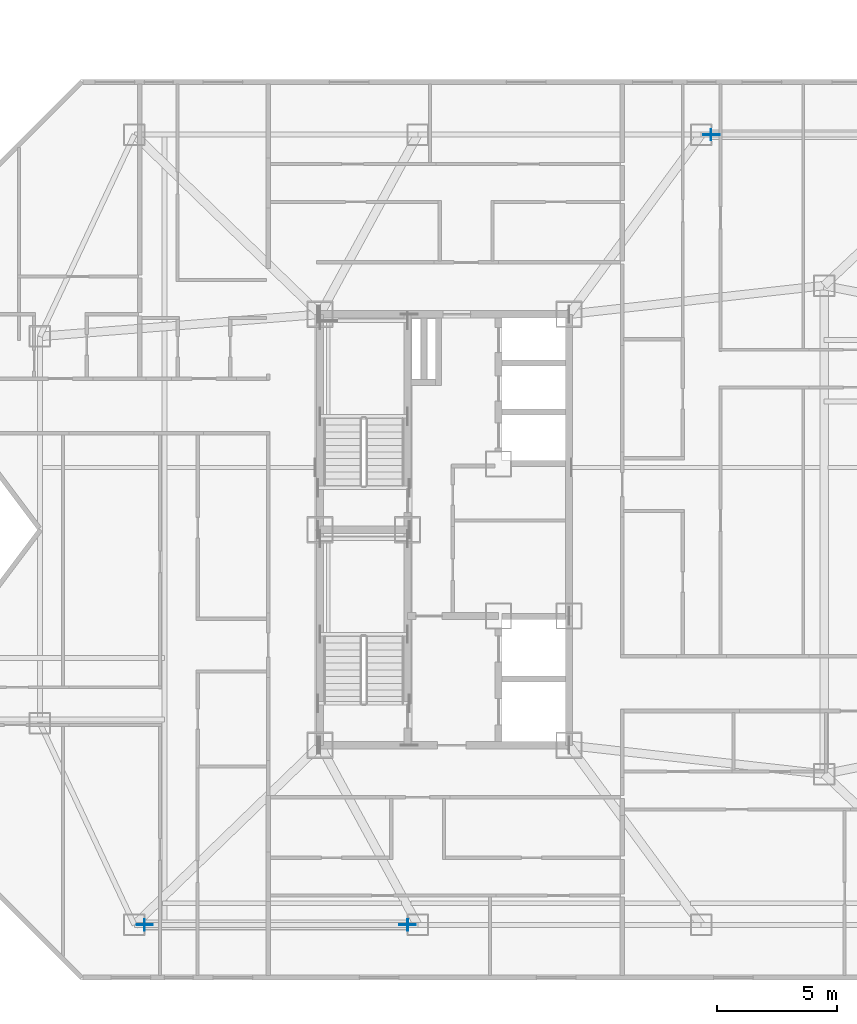
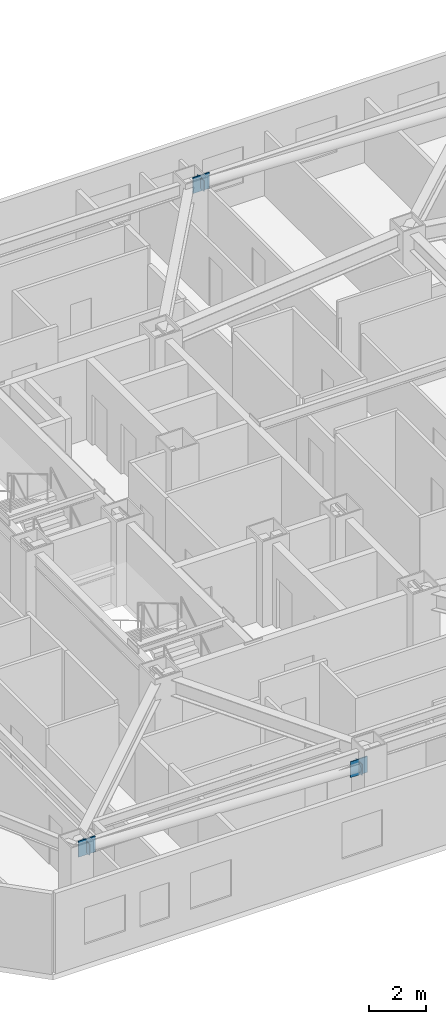
# One storey, part 3 of 12: 6 plates.
"""IFC4 building model written with IfcOpenShell, lengths in metres."""

from ifc_helpers import new_model, si_unit, direction, frame, origin, origin_2d, place, context, subcontext, project, spatial, rectangle, extrude, material, layer, layer_set, type_object, element, save


model = new_model("IFC4")

# Units and contexts
model_context = context("Model", 3, precision=1e-05, world=origin(), true_north=direction((0.0, 1.0)))
body_context = subcontext(model_context, "Body", "Model", "MODEL_VIEW")
ifc_project = project(units=[si_unit("LENGTHUNIT", "METRE"), si_unit("AREAUNIT", "SQUARE_METRE"), si_unit("VOLUMEUNIT", "CUBIC_METRE"), si_unit("PLANEANGLEUNIT", "RADIAN"), si_unit("MASSUNIT", "GRAM", prefix="KILO")], contexts=[model_context])

# Site, building, storey
site_placement = place(None, origin())
site = spatial("IfcSite", under=ifc_project, at=site_placement, CompositionType="ELEMENT")
building_placement = place(site_placement, origin())
building = spatial("IfcBuilding", under=site, at=building_placement, Name="Khamvora Tower", CompositionType="ELEMENT")
storey_placement = place(building_placement, frame((0.0, 0.0, 177.800048828125)))
storey = spatial("IfcBuildingStorey", under=building, at=storey_placement, Name="L45", CompositionType="ELEMENT", Elevation=177.800048828125)

# Plates
ifc_material_1 = material(Name="Steel S355", Category="steel")
ifc_layer_1 = layer(ifc_material_1, 0.02490234375)
ifc_layer_set_1 = layer_set([ifc_layer_1], Name="Steel S355")
plate_type_1 = type_object("IfcPlateType", Name="PL-CAP-25", PredefinedType="SHEET", material=ifc_layer_set_1)
for number, where, z_axis, x_axis, name in (
    (1, (32.6650390625, 11.5, 2.4638671875), (0.0, 0.0, 1.0), (-1.0, 0.0, 0.0), "L45 hollow section steel end cap plate 0960"),
    (2, (21.66796875, 11.5, 2.912109375), (0.0, 0.0, 1.0), (-1.0, 0.0, 0.0), "L45 hollow section steel end cap plate 0961"),
    (3, (45.3349609375, 44.5, 2.912109375), (0.0, 0.0, 1.0), (-1.0, 0.0, 0.0), "L45 hollow section steel end cap plate 0963"),
):
    element("IfcPlate", number, at=place(storey_placement, frame(where, z_axis=z_axis, x_axis=x_axis)), inside=storey, type_object=plate_type_1, Name=name, PredefinedType="SHEET", context=body_context, shape_type="SweptSolid", body=[
        extrude(rectangle(XDim=0.02490234375, YDim=0.466064453125, at=origin_2d()), origin(), (0.0, 0.0, 1.0), 0.466064453125),
    ])
ifc_material_2 = material(Name="Steel S460", Category="steel")
ifc_layer_2 = layer(ifc_material_2, 0.0400390625)
ifc_layer_set_2 = layer_set([ifc_layer_2], Name="Steel S460")
plate_type_2 = type_object("IfcPlateType", Name="PLT-GUS-40", PredefinedType="SHEET", material=ifc_layer_set_2)
for number, where, z_axis, x_axis, name in (
    (4, (32.653076171875, 11.5, 2.35791015625), (0.0, 0.0, 1.0), (1.0, 0.0, 0.0), "L45 brace connection node gusset plate 0297"),
    (5, (21.679931640625, 11.5, 2.80419921875), (0.0, 0.0, 1.0), (1.0, 0.0, 0.0), "L45 brace connection node gusset plate 0298"),
    (6, (45.346923828125, 44.5, 2.80419921875), (0.0, 0.0, 1.0), (1.0, 0.0, 0.0), "L45 brace connection node gusset plate 0300"),
):
    element("IfcPlate", number, at=place(storey_placement, frame(where, z_axis=z_axis, x_axis=x_axis)), inside=storey, type_object=plate_type_2, Name=name, PredefinedType="SHEET", context=body_context, shape_type="SweptSolid", body=[
        extrude(rectangle(XDim=0.679931640625, YDim=0.0400390625, at=origin_2d()), origin(), (0.0, 0.0, 1.0), 0.679931640625),
    ])

save(model, "model.ifc")
